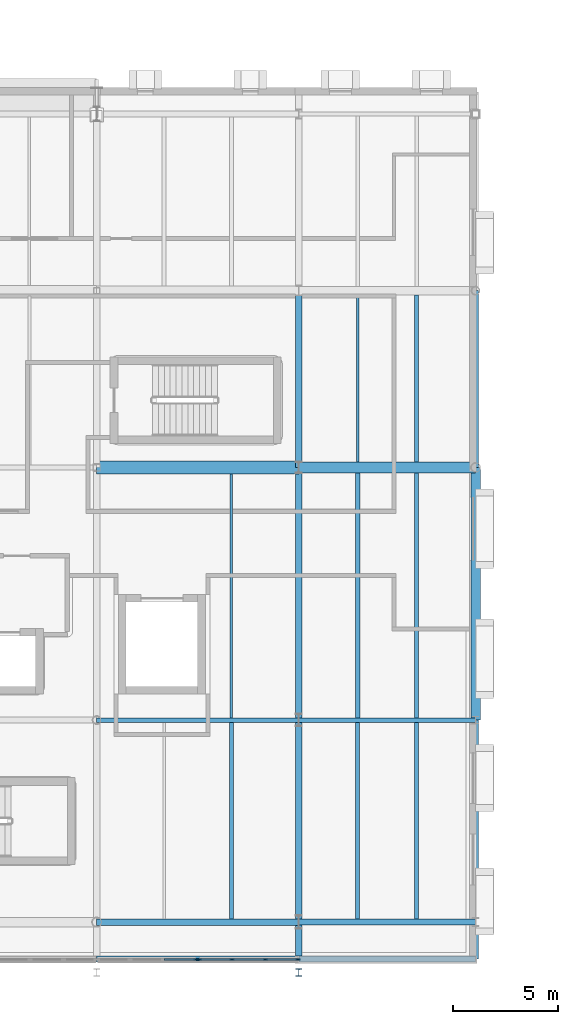
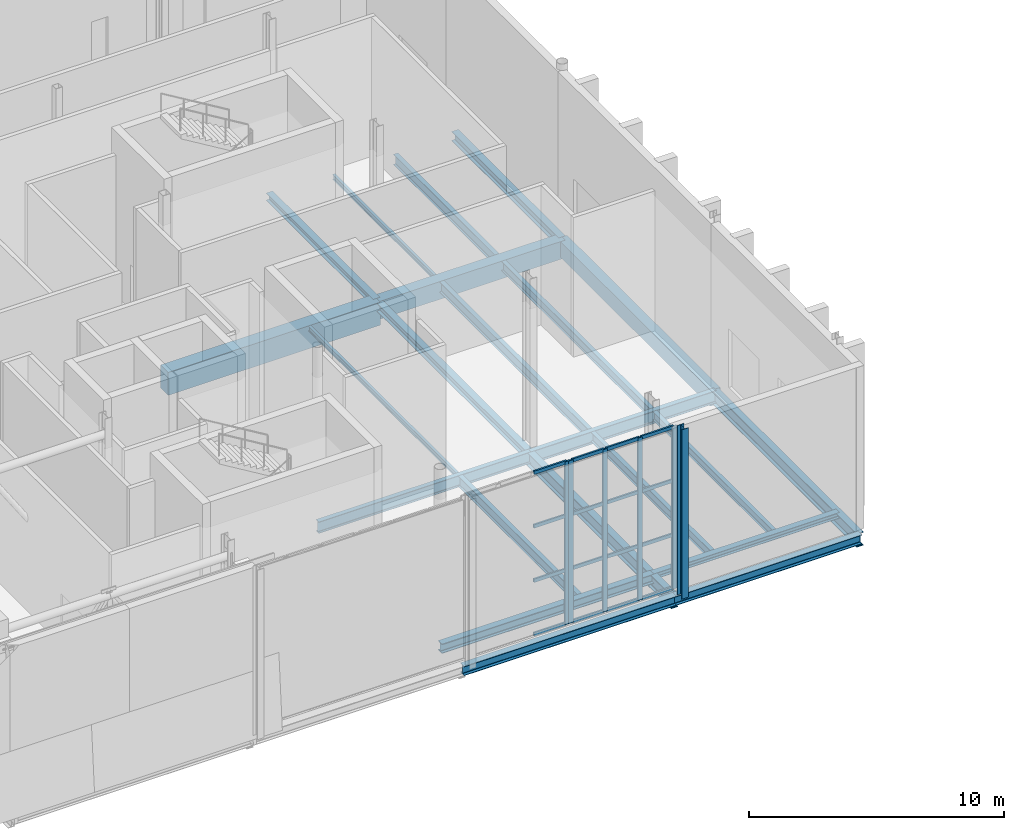
# One storey, part 21 of 79: 22 beams, 22 members, 2 elements without a shape of their own.
"""IFC4 building model written with IfcOpenShell, lengths in metres."""

from ifc_helpers import new_model, si_unit, direction, frame, origin, origin_2d, place, context, subcontext, project, spatial, rectangle, i_section, extrude, material, layer, layer_set, material_profile, profile_set, type_object, element, aggregate, save


model = new_model("IFC4")

# Units and contexts
model_context = context("Model", 3, precision=1e-05, world=origin(), true_north=direction((0.0, 1.0)))
body_context = subcontext(model_context, "Body", "Model", "MODEL_VIEW")
ifc_project = project(units=[si_unit("LENGTHUNIT", "METRE"), si_unit("AREAUNIT", "SQUARE_METRE"), si_unit("VOLUMEUNIT", "CUBIC_METRE"), si_unit("PLANEANGLEUNIT", "RADIAN"), si_unit("MASSUNIT", "GRAM", prefix="KILO")], contexts=[model_context])

# Site, building, storey
site_placement = place(None, origin())
site = spatial("IfcSite", under=ifc_project, at=site_placement, CompositionType="ELEMENT")
building_placement = place(site_placement, origin())
building = spatial("IfcBuilding", under=site, at=building_placement, Name="Zereglee Splitstone Museum", CompositionType="ELEMENT")
storey_placement = place(building_placement, frame((0.0, 0.0, 9.0)))
storey = spatial("IfcBuildingStorey", under=building, at=storey_placement, Name="L02", CompositionType="ELEMENT", Elevation=9.0)

# Beams
ifc_material_1 = material(Name="Concrete C40/50", Category="concrete")
ifc_material_profile_1 = material_profile(ifc_material_1, rectangle(XDim=0.5, YDim=0.85009765625, at=origin_2d()), Name="RC 500x850")
ifc_profile_set_1 = profile_set([ifc_material_profile_1], Name="Concrete C40/50")
beam_type_1 = type_object("IfcBeamType", Name="BG-02", PredefinedType="BEAM", material=ifc_profile_set_1)
beam_1_placement = place(storey_placement, frame((39.60009765625, 21.60009765625, -0.7451171875), z_axis=(1.0, 0.0, 0.0), x_axis=(0.0, 1.0, 0.0)))
element("IfcBeam", 1, at=beam_1_placement, inside=storey, type_object=beam_type_1, Name="Primary Girder L02 C (39.6-48.0)", PredefinedType="BEAM", context=body_context, shape_type="SweptSolid", body=[
    extrude(rectangle(XDim=0.5, YDim=0.85009765625, at=origin_2d()), origin(), (0.0, 0.0, 1.0), 8.39990234375),
])
ifc_material_profile_2 = material_profile(ifc_material_1, rectangle(XDim=0.60009765625, YDim=1.10009765625, at=origin_2d()), Name="RC 600x1100")
ifc_profile_set_2 = profile_set([ifc_material_profile_2], Name="Concrete C40/50")
beam_type_2 = type_object("IfcBeamType", Name="BG-01", PredefinedType="BEAM", material=ifc_profile_set_2)
beam_2_placement = place(storey_placement, frame((30.0, 21.60009765625, -0.8701171875), z_axis=(1.0, 0.0, 0.0), x_axis=(0.0, 1.0, 0.0)))
element("IfcBeam", 2, at=beam_2_placement, inside=storey, type_object=beam_type_2, Name="Primary Girder L02 C (30.0-39.6)", PredefinedType="BEAM", context=body_context, shape_type="SweptSolid", body=[
    extrude(rectangle(XDim=0.60009765625, YDim=1.10009765625, at=origin_2d()), origin(), (0.0, 0.0, 1.0), 9.60009765625),
])

# Curtain wall, member
ifc_material_2 = material(Name="Triple-glazed low-E argon glass and bronze-anodised aluminium", Category="aluminium")
ifc_layer_1 = layer(ifc_material_2, 0.219970703125)
ifc_layer_set_1 = layer_set([ifc_layer_1], Name="Triple-glazed low-E argon glass and bronze-anodised aluminium")
curtain_wall_type_1 = type_object("IfcCurtainWallType", Name="CW-0476-780", PredefinedType="USERDEFINED", material=ifc_layer_set_1)
curtain_wall_1_placement = place(storey_placement, origin())
curtain_wall_1 = element("IfcCurtainWall", 3, at=curtain_wall_1_placement, inside=storey, type_object=curtain_wall_type_1, Name="Glazed Curtain Wall CW-0476-780 (L02)", ObjectType="GLAZED CURTAIN WALL", PredefinedType="USERDEFINED")
ifc_material_3 = material(Name="Thermally broken bronze-anodised aluminium", Category="aluminium")
ifc_material_profile_3 = material_profile(ifc_material_3, rectangle(XDim=0.074951171875, YDim=0.219970703125, at=origin_2d()), Name="CW MULL 75x220")
ifc_profile_set_3 = profile_set([ifc_material_profile_3], Name="Thermally broken bronze-anodised aluminium")
member_type_1 = type_object("IfcMemberType", Name="CWM-02", PredefinedType="MULLION", material=ifc_profile_set_3)
member_1_placement = place(storey_placement, frame((34.722412109375, -1.780029296875, 0.0), z_axis=(0.0, 0.0, 1.0), x_axis=(0.0, 1.0, 0.0)))
member_1 = element("IfcMember", 4, at=member_1_placement, type_object=member_type_1, Name="CW-0476-780 mullion 4", PredefinedType="MULLION", context=body_context, shape_type="SweptSolid", body=[
    extrude(rectangle(XDim=0.074951171875, YDim=0.219970703125, at=origin_2d()), origin(), (0.0, 0.0, 1.0), 7.800048828125),
])

# Curtain wall, members
ifc_layer_2 = layer(ifc_material_2, 0.219970703125)
ifc_layer_set_2 = layer_set([ifc_layer_2], Name="Triple-glazed low-E argon glass and bronze-anodised aluminium")
curtain_wall_type_2 = type_object("IfcCurtainWallType", Name="CW-0476-778", PredefinedType="USERDEFINED", material=ifc_layer_set_2)
curtain_wall_2_placement = place(storey_placement, origin())
curtain_wall_2 = element("IfcCurtainWall", 5, at=curtain_wall_2_placement, inside=storey, type_object=curtain_wall_type_2, Name="Glazed Curtain Wall CW-0476-778 (L02)", ObjectType="GLAZED CURTAIN WALL", PredefinedType="USERDEFINED")
member_2_placement = place(storey_placement, frame((34.87744140625, -1.780029296875, 0.0), z_axis=(0.0, 0.0, 1.0), x_axis=(0.0, 1.0, 0.0)))
member_2 = element("IfcMember", 6, at=member_2_placement, type_object=member_type_1, Name="CW-0476-778 mullion 1", PredefinedType="MULLION", context=body_context, shape_type="SweptSolid", body=[
    extrude(rectangle(XDim=0.074951171875, YDim=0.219970703125, at=origin_2d()), origin(), (0.0, 0.0, 1.0), 7.780029296875),
])
member_3_placement = place(storey_placement, frame((36.4267578125, -1.780029296875, 0.0), z_axis=(0.0, 0.0, 1.0), x_axis=(0.0, 1.0, 0.0)))
member_3 = element("IfcMember", 7, at=member_3_placement, type_object=member_type_1, Name="CW-0476-778 mullion 2", PredefinedType="MULLION", context=body_context, shape_type="SweptSolid", body=[
    extrude(rectangle(XDim=0.074951171875, YDim=0.219970703125, at=origin_2d()), origin(), (0.0, 0.0, 1.0), 7.780029296875),
])
member_4_placement = place(storey_placement, frame((38.013427734375, -1.780029296875, 0.0), z_axis=(0.0, 0.0, 1.0), x_axis=(0.0, 1.0, 0.0)))
member_4 = element("IfcMember", 8, at=member_4_placement, type_object=member_type_1, Name="CW-0476-778 mullion 3", PredefinedType="MULLION", context=body_context, shape_type="SweptSolid", body=[
    extrude(rectangle(XDim=0.074951171875, YDim=0.219970703125, at=origin_2d()), origin(), (0.0, 0.0, 1.0), 7.780029296875),
])
member_5_placement = place(storey_placement, frame((39.5625, -1.780029296875, 0.0), z_axis=(0.0, 0.0, 1.0), x_axis=(0.0, 1.0, 0.0)))
member_5 = element("IfcMember", 9, at=member_5_placement, type_object=member_type_1, Name="CW-0476-778 mullion 4", PredefinedType="MULLION", context=body_context, shape_type="SweptSolid", body=[
    extrude(rectangle(XDim=0.074951171875, YDim=0.219970703125, at=origin_2d()), origin(), (0.0, 0.0, 1.0), 7.780029296875),
])

# Member
ifc_material_profile_4 = material_profile(ifc_material_3, rectangle(XDim=0.074951171875, YDim=0.1650390625, at=origin_2d()), Name="CW TRAN 75x165")
ifc_profile_set_4 = profile_set([ifc_material_profile_4], Name="Thermally broken bronze-anodised aluminium")
member_type_2 = type_object("IfcMemberType", Name="CWT-02", PredefinedType="USERDEFINED", material=ifc_profile_set_4)
member_6_placement = place(storey_placement, frame((33.2109375, -1.780029296875, 0.03759765625), z_axis=(1.0, 0.0, 0.0), x_axis=(0.0, 1.0, 0.0)))
member_6 = element("IfcMember", 10, at=member_6_placement, type_object=member_type_2, Name="CW-0476-780 transom 3.1", ObjectType="TRANSOM", PredefinedType="USERDEFINED", context=body_context, shape_type="SweptSolid", body=[
    extrude(rectangle(XDim=0.074951171875, YDim=0.1650390625, at=origin_2d()), origin(), (0.0, 0.0, 1.0), 1.47412109375),
])

member_7_placement = place(storey_placement, frame((33.2109375, -1.780029296875, 2.60009765625), z_axis=(1.0, 0.0, 0.0), x_axis=(0.0, 1.0, 0.0)))
member_7 = element("IfcMember", 11, at=member_7_placement, type_object=member_type_2, Name="CW-0476-780 transom 3.2", ObjectType="TRANSOM", PredefinedType="USERDEFINED", context=body_context, shape_type="SweptSolid", body=[
    extrude(rectangle(XDim=0.074951171875, YDim=0.1650390625, at=origin_2d()), origin(), (0.0, 0.0, 1.0), 1.47412109375),
])

member_8_placement = place(storey_placement, frame((33.2109375, -1.780029296875, 5.199951171875), z_axis=(1.0, 0.0, 0.0), x_axis=(0.0, 1.0, 0.0)))
member_8 = element("IfcMember", 12, at=member_8_placement, type_object=member_type_2, Name="CW-0476-780 transom 3.3", ObjectType="TRANSOM", PredefinedType="USERDEFINED", context=body_context, shape_type="SweptSolid", body=[
    extrude(rectangle(XDim=0.074951171875, YDim=0.1650390625, at=origin_2d()), origin(), (0.0, 0.0, 1.0), 1.47412109375),
])

member_9_placement = place(storey_placement, frame((33.2109375, -1.780029296875, 7.762451171875), z_axis=(1.0, 0.0, 0.0), x_axis=(0.0, 1.0, 0.0)))
member_9 = element("IfcMember", 13, at=member_9_placement, type_object=member_type_2, Name="CW-0476-780 transom 3.4", ObjectType="TRANSOM", PredefinedType="USERDEFINED", context=body_context, shape_type="SweptSolid", body=[
    extrude(rectangle(XDim=0.074951171875, YDim=0.1650390625, at=origin_2d()), origin(), (0.0, 0.0, 1.0), 1.47412109375),
])

aggregate(curtain_wall_1, [member_1, member_6, member_7, member_8, member_9])

member_10_placement = place(storey_placement, frame((34.9150390625, -1.780029296875, 0.03759765625), z_axis=(1.0, 0.0, 0.0), x_axis=(0.0, 1.0, 0.0)))
member_10 = element("IfcMember", 14, at=member_10_placement, type_object=member_type_2, Name="CW-0476-778 transom 1.1", ObjectType="TRANSOM", PredefinedType="USERDEFINED", context=body_context, shape_type="SweptSolid", body=[
    extrude(rectangle(XDim=0.074951171875, YDim=0.1650390625, at=origin_2d()), origin(), (0.0, 0.0, 1.0), 1.47412109375),
])

member_11_placement = place(storey_placement, frame((34.9150390625, -1.780029296875, 2.59326171875), z_axis=(1.0, 0.0, 0.0), x_axis=(0.0, 1.0, 0.0)))
member_11 = element("IfcMember", 15, at=member_11_placement, type_object=member_type_2, Name="CW-0476-778 transom 1.2", ObjectType="TRANSOM", PredefinedType="USERDEFINED", context=body_context, shape_type="SweptSolid", body=[
    extrude(rectangle(XDim=0.074951171875, YDim=0.1650390625, at=origin_2d()), origin(), (0.0, 0.0, 1.0), 1.47412109375),
])

member_12_placement = place(storey_placement, frame((34.9150390625, -1.780029296875, 5.186767578125), z_axis=(1.0, 0.0, 0.0), x_axis=(0.0, 1.0, 0.0)))
member_12 = element("IfcMember", 16, at=member_12_placement, type_object=member_type_2, Name="CW-0476-778 transom 1.3", ObjectType="TRANSOM", PredefinedType="USERDEFINED", context=body_context, shape_type="SweptSolid", body=[
    extrude(rectangle(XDim=0.074951171875, YDim=0.1650390625, at=origin_2d()), origin(), (0.0, 0.0, 1.0), 1.47412109375),
])

member_13_placement = place(storey_placement, frame((34.9150390625, -1.780029296875, 7.742431640625), z_axis=(1.0, 0.0, 0.0), x_axis=(0.0, 1.0, 0.0)))
member_13 = element("IfcMember", 17, at=member_13_placement, type_object=member_type_2, Name="CW-0476-778 transom 1.4", ObjectType="TRANSOM", PredefinedType="USERDEFINED", context=body_context, shape_type="SweptSolid", body=[
    extrude(rectangle(XDim=0.074951171875, YDim=0.1650390625, at=origin_2d()), origin(), (0.0, 0.0, 1.0), 1.47412109375),
])

member_14_placement = place(storey_placement, frame((36.464111328125, -1.780029296875, 0.03759765625), z_axis=(1.0, 0.0, 0.0), x_axis=(0.0, 1.0, 0.0)))
member_14 = element("IfcMember", 18, at=member_14_placement, type_object=member_type_2, Name="CW-0476-778 transom 2.1", ObjectType="TRANSOM", PredefinedType="USERDEFINED", context=body_context, shape_type="SweptSolid", body=[
    extrude(rectangle(XDim=0.074951171875, YDim=0.1650390625, at=origin_2d()), origin(), (0.0, 0.0, 1.0), 1.51171875),
])

member_15_placement = place(storey_placement, frame((36.464111328125, -1.780029296875, 2.59326171875), z_axis=(1.0, 0.0, 0.0), x_axis=(0.0, 1.0, 0.0)))
member_15 = element("IfcMember", 19, at=member_15_placement, type_object=member_type_2, Name="CW-0476-778 transom 2.2", ObjectType="TRANSOM", PredefinedType="USERDEFINED", context=body_context, shape_type="SweptSolid", body=[
    extrude(rectangle(XDim=0.074951171875, YDim=0.1650390625, at=origin_2d()), origin(), (0.0, 0.0, 1.0), 1.51171875),
])

member_16_placement = place(storey_placement, frame((36.464111328125, -1.780029296875, 5.186767578125), z_axis=(1.0, 0.0, 0.0), x_axis=(0.0, 1.0, 0.0)))
member_16 = element("IfcMember", 20, at=member_16_placement, type_object=member_type_2, Name="CW-0476-778 transom 2.3", ObjectType="TRANSOM", PredefinedType="USERDEFINED", context=body_context, shape_type="SweptSolid", body=[
    extrude(rectangle(XDim=0.074951171875, YDim=0.1650390625, at=origin_2d()), origin(), (0.0, 0.0, 1.0), 1.51171875),
])

member_17_placement = place(storey_placement, frame((36.464111328125, -1.780029296875, 7.742431640625), z_axis=(1.0, 0.0, 0.0), x_axis=(0.0, 1.0, 0.0)))
member_17 = element("IfcMember", 21, at=member_17_placement, type_object=member_type_2, Name="CW-0476-778 transom 2.4", ObjectType="TRANSOM", PredefinedType="USERDEFINED", context=body_context, shape_type="SweptSolid", body=[
    extrude(rectangle(XDim=0.074951171875, YDim=0.1650390625, at=origin_2d()), origin(), (0.0, 0.0, 1.0), 1.51171875),
])

member_18_placement = place(storey_placement, frame((38.05078125, -1.780029296875, 0.03759765625), z_axis=(1.0, 0.0, 0.0), x_axis=(0.0, 1.0, 0.0)))
member_18 = element("IfcMember", 22, at=member_18_placement, type_object=member_type_2, Name="CW-0476-778 transom 3.1", ObjectType="TRANSOM", PredefinedType="USERDEFINED", context=body_context, shape_type="SweptSolid", body=[
    extrude(rectangle(XDim=0.074951171875, YDim=0.1650390625, at=origin_2d()), origin(), (0.0, 0.0, 1.0), 1.47412109375),
])

member_19_placement = place(storey_placement, frame((38.05078125, -1.780029296875, 2.59326171875), z_axis=(1.0, 0.0, 0.0), x_axis=(0.0, 1.0, 0.0)))
member_19 = element("IfcMember", 23, at=member_19_placement, type_object=member_type_2, Name="CW-0476-778 transom 3.2", ObjectType="TRANSOM", PredefinedType="USERDEFINED", context=body_context, shape_type="SweptSolid", body=[
    extrude(rectangle(XDim=0.074951171875, YDim=0.1650390625, at=origin_2d()), origin(), (0.0, 0.0, 1.0), 1.47412109375),
])

member_20_placement = place(storey_placement, frame((38.05078125, -1.780029296875, 5.186767578125), z_axis=(1.0, 0.0, 0.0), x_axis=(0.0, 1.0, 0.0)))
member_20 = element("IfcMember", 24, at=member_20_placement, type_object=member_type_2, Name="CW-0476-778 transom 3.3", ObjectType="TRANSOM", PredefinedType="USERDEFINED", context=body_context, shape_type="SweptSolid", body=[
    extrude(rectangle(XDim=0.074951171875, YDim=0.1650390625, at=origin_2d()), origin(), (0.0, 0.0, 1.0), 1.47412109375),
])

member_21_placement = place(storey_placement, frame((38.05078125, -1.780029296875, 7.742431640625), z_axis=(1.0, 0.0, 0.0), x_axis=(0.0, 1.0, 0.0)))
member_21 = element("IfcMember", 25, at=member_21_placement, type_object=member_type_2, Name="CW-0476-778 transom 3.4", ObjectType="TRANSOM", PredefinedType="USERDEFINED", context=body_context, shape_type="SweptSolid", body=[
    extrude(rectangle(XDim=0.074951171875, YDim=0.1650390625, at=origin_2d()), origin(), (0.0, 0.0, 1.0), 1.47412109375),
])

aggregate(curtain_wall_2, [member_2, member_3, member_4, member_5, member_10, member_11, member_12, member_13, member_14, member_15, member_16, member_17, member_18, member_19, member_20, member_21])

ifc_material_4 = material(Name="Steel S355J2", Category="steel")
ifc_material_profile_5 = material_profile(ifc_material_4, i_section(OverallWidth=0.300048828125, OverallDepth=0.360107421875, WebThickness=0.012451171875, FlangeThickness=0.0224609375, FilletRadius=0.027099609375, at=origin_2d()), Name="HE 360 B")
ifc_profile_set_5 = profile_set([ifc_material_profile_5], Name="Steel S355J2")
member_type_3 = type_object("IfcMemberType", Name="TC-06", PredefinedType="CHORD", material=ifc_profile_set_5)
member_22_placement = place(storey_placement, frame((39.60009765625, -2.39990234375, 0.0), z_axis=(0.0, 0.0, 1.0), x_axis=(1.0, 0.0, 0.0)))
element("IfcMember", 26, at=member_22_placement, inside=storey, type_object=member_type_3, Name="Mughal Guldasta Hovering Portal Pier G04 L02", PredefinedType="CHORD", context=body_context, shape_type="SweptSolid", body=[
    extrude(i_section(OverallWidth=0.300048828125, OverallDepth=0.360107421875, WebThickness=0.012451171875, FlangeThickness=0.0224609375, FilletRadius=0.027099609375, at=origin_2d()), origin(), (0.0, 0.0, 1.0), 8.10009765625),
])

# Beams
ifc_material_profile_6 = material_profile(ifc_material_4, i_section(OverallWidth=0.300048828125, OverallDepth=0.360107421875, WebThickness=0.012451171875, FlangeThickness=0.0224609375, FilletRadius=0.027099609375, at=origin_2d()), Name="HE 360 B")
ifc_profile_set_6 = profile_set([ifc_material_profile_6], Name="Steel S355J2")
beam_type_3 = type_object("IfcBeamType", Name="BG-14", PredefinedType="BEAM", material=ifc_profile_set_6)
beam_3_placement = place(storey_placement, frame((39.60009765625, 21.60009765625, -0.5), z_axis=(0.0, 1.0, 0.0), x_axis=(-1.0, 0.0, 0.0)))
element("IfcBeam", 27, at=beam_3_placement, inside=storey, type_object=beam_type_3, Name="Primary Girder L02 6 (21.6-30.0)", PredefinedType="BEAM", context=body_context, shape_type="SweptSolid", body=[
    extrude(i_section(OverallWidth=0.300048828125, OverallDepth=0.360107421875, WebThickness=0.012451171875, FlangeThickness=0.0224609375, FilletRadius=0.027099609375, at=origin_2d()), origin(), (0.0, 0.0, 1.0), 8.39990234375),
])
ifc_material_profile_7 = material_profile(ifc_material_4, i_section(OverallWidth=0.300048828125, OverallDepth=0.39990234375, WebThickness=0.013427734375, FlangeThickness=0.02392578125, FilletRadius=0.027099609375, at=origin_2d()), Name="HE 400 B")
ifc_profile_set_7 = profile_set([ifc_material_profile_7], Name="Steel S355J2")
beam_type_4 = type_object("IfcBeamType", Name="BG-13", PredefinedType="BEAM", material=ifc_profile_set_7)
beam_4_placement = place(storey_placement, frame((39.60009765625, 9.60009765625, -0.52001953125), z_axis=(0.0, 1.0, 0.0), x_axis=(-1.0, 0.0, 0.0)))
element("IfcBeam", 28, at=beam_4_placement, inside=storey, type_object=beam_type_4, Name="Primary Girder L02 6 (9.6-21.6)", PredefinedType="BEAM", context=body_context, shape_type="SweptSolid", body=[
    extrude(i_section(OverallWidth=0.300048828125, OverallDepth=0.39990234375, WebThickness=0.013427734375, FlangeThickness=0.02392578125, FilletRadius=0.027099609375, at=origin_2d()), origin(), (0.0, 0.0, 1.0), 12.0),
])
ifc_material_profile_8 = material_profile(ifc_material_4, i_section(OverallWidth=0.300048828125, OverallDepth=0.64990234375, WebThickness=0.01611328125, FlangeThickness=0.031005859375, FilletRadius=0.027099609375, at=origin_2d()), Name="HE 650 B")
ifc_profile_set_8 = profile_set([ifc_material_profile_8], Name="Steel S355J2")
beam_type_5 = type_object("IfcBeamType", Name="BG-09", PredefinedType="BEAM", material=ifc_profile_set_8)
for number, where, z_axis, x_axis, name in (
    (29, (39.60009765625, -1.75, -0.64501953125), (0.0, 1.0, 0.0), (-1.0, 0.0, 0.0), "Primary Girder L02 6 (-1.8-9.6)"),
    (30, (48.0, -1.75, -0.64501953125), (0.0, 1.0, 0.0), (-1.0, 0.0, 0.0), "Primary Girder L02 7 (-1.8-9.6)"),
):
    element("IfcBeam", number, at=place(storey_placement, frame(where, z_axis=z_axis, x_axis=x_axis)), inside=storey, type_object=beam_type_5, Name=name, PredefinedType="BEAM", context=body_context, shape_type="SweptSolid", body=[
        extrude(i_section(OverallWidth=0.300048828125, OverallDepth=0.64990234375, WebThickness=0.01611328125, FlangeThickness=0.031005859375, FilletRadius=0.027099609375, at=origin_2d()), origin(), (0.0, 0.0, 1.0), 11.35009765625),
    ])
ifc_material_profile_9 = material_profile(ifc_material_4, i_section(OverallWidth=0.2099609375, OverallDepth=0.550048828125, WebThickness=0.010986328125, FlangeThickness=0.01708984375, FilletRadius=0.02392578125, at=origin_2d()), Name="IPE 550")
ifc_profile_set_9 = profile_set([ifc_material_profile_9], Name="Steel S355J2")
beam_type_6 = type_object("IfcBeamType", Name="BG-16", PredefinedType="BEAM", material=ifc_profile_set_9)
beam_5_placement = place(storey_placement, frame((30.0, 9.60009765625, -0.594970703125), z_axis=(1.0, 0.0, 0.0), x_axis=(0.0, 1.0, 0.0)))
element("IfcBeam", 31, at=beam_5_placement, inside=storey, type_object=beam_type_6, Name="Primary Girder L02 B (30.0-39.6)", PredefinedType="BEAM", context=body_context, shape_type="SweptSolid", body=[
    extrude(i_section(OverallWidth=0.2099609375, OverallDepth=0.550048828125, WebThickness=0.010986328125, FlangeThickness=0.01708984375, FilletRadius=0.02392578125, at=origin_2d()), origin(), (0.0, 0.0, 1.0), 9.60009765625),
])
ifc_material_profile_10 = material_profile(ifc_material_4, i_section(OverallWidth=0.219970703125, OverallDepth=0.60009765625, WebThickness=0.011962890625, FlangeThickness=0.01904296875, FilletRadius=0.02392578125, at=origin_2d()), Name="IPE 600")
ifc_profile_set_10 = profile_set([ifc_material_profile_10], Name="Steel S355J2")
beam_type_7 = type_object("IfcBeamType", Name="BG-15", PredefinedType="BEAM", material=ifc_profile_set_10)
beam_6_placement = place(storey_placement, frame((39.60009765625, 9.60009765625, -0.6201171875), z_axis=(1.0, 0.0, 0.0), x_axis=(0.0, 1.0, 0.0)))
element("IfcBeam", 32, at=beam_6_placement, inside=storey, type_object=beam_type_7, Name="Primary Girder L02 B (39.6-48.0)", PredefinedType="BEAM", context=body_context, shape_type="SweptSolid", body=[
    extrude(i_section(OverallWidth=0.219970703125, OverallDepth=0.60009765625, WebThickness=0.011962890625, FlangeThickness=0.01904296875, FilletRadius=0.02392578125, at=origin_2d()), origin(), (0.0, 0.0, 1.0), 8.39990234375),
])
ifc_material_profile_11 = material_profile(ifc_material_4, i_section(OverallWidth=0.1201171875, OverallDepth=0.239990234375, WebThickness=0.006103515625, FlangeThickness=0.009765625, FilletRadius=0.014892578125, at=origin_2d()), Name="IPE 240")
ifc_profile_set_11 = profile_set([ifc_material_profile_11], Name="Steel S355J2")
beam_type_8 = type_object("IfcBeamType", Name="BJ-07", PredefinedType="JOIST", material=ifc_profile_set_11)
beam_7_placement = place(storey_placement, frame((36.39990234375, 9.705078125, -0.43994140625), z_axis=(0.0, 1.0, 0.0), x_axis=(-1.0, 0.0, 0.0)))
element("IfcBeam", 33, at=beam_7_placement, inside=storey, type_object=beam_type_8, Name="Secondary Floor Joist L02-1049", PredefinedType="JOIST", context=body_context, shape_type="SweptSolid", body=[
    extrude(i_section(OverallWidth=0.1201171875, OverallDepth=0.239990234375, WebThickness=0.006103515625, FlangeThickness=0.009765625, FilletRadius=0.014892578125, at=origin_2d()), origin(), (0.0, 0.0, 1.0), 11.594970703125),
])
beam_8_placement = place(storey_placement, frame((42.39990234375, 21.85009765625, -0.43994140625), z_axis=(0.0, 1.0, 0.0), x_axis=(-1.0, 0.0, 0.0)))
element("IfcBeam", 34, at=beam_8_placement, inside=storey, type_object=beam_type_8, Name="Secondary Floor Joist L02-1077", PredefinedType="JOIST", context=body_context, shape_type="SweptSolid", body=[
    extrude(i_section(OverallWidth=0.1201171875, OverallDepth=0.239990234375, WebThickness=0.006103515625, FlangeThickness=0.009765625, FilletRadius=0.014892578125, at=origin_2d()), origin(), (0.0, 0.0, 1.0), 7.949951171875),
])
ifc_material_profile_12 = material_profile(ifc_material_4, i_section(OverallWidth=0.179931640625, OverallDepth=0.39990234375, WebThickness=0.008544921875, FlangeThickness=0.013427734375, FilletRadius=0.02099609375, at=origin_2d()), Name="IPE 400")
ifc_profile_set_12 = profile_set([ifc_material_profile_12], Name="Steel S355J2")
beam_type_9 = type_object("IfcBeamType", Name="BJ-03", PredefinedType="JOIST", material=ifc_profile_set_12)
beam_9_placement = place(storey_placement, frame((45.199951171875, 0.139892578125, -0.52001953125), z_axis=(0.0, 1.0, 0.0), x_axis=(-1.0, 0.0, 0.0)))
element("IfcBeam", 35, at=beam_9_placement, inside=storey, type_object=beam_type_9, Name="Secondary Floor Joist L02-1038", PredefinedType="JOIST", context=body_context, shape_type="SweptSolid", body=[
    extrude(i_section(OverallWidth=0.179931640625, OverallDepth=0.39990234375, WebThickness=0.008544921875, FlangeThickness=0.013427734375, FilletRadius=0.02099609375, at=origin_2d()), origin(), (0.0, 0.0, 1.0), 9.35009765625),
])
ifc_material_profile_13 = material_profile(ifc_material_4, i_section(OverallWidth=0.18994140625, OverallDepth=0.449951171875, WebThickness=0.009521484375, FlangeThickness=0.0146484375, FilletRadius=0.02099609375, at=origin_2d()), Name="IPE 450")
ifc_profile_set_13 = profile_set([ifc_material_profile_13], Name="Steel S355J2")
beam_type_10 = type_object("IfcBeamType", Name="BJ-02", PredefinedType="JOIST", material=ifc_profile_set_13)
beam_10_placement = place(storey_placement, frame((42.39990234375, 0.139892578125, -0.544921875), z_axis=(0.0, 1.0, 0.0), x_axis=(-1.0, 0.0, 0.0)))
element("IfcBeam", 36, at=beam_10_placement, inside=storey, type_object=beam_type_10, Name="Secondary Floor Joist L02-1037", PredefinedType="JOIST", context=body_context, shape_type="SweptSolid", body=[
    extrude(i_section(OverallWidth=0.18994140625, OverallDepth=0.449951171875, WebThickness=0.009521484375, FlangeThickness=0.0146484375, FilletRadius=0.02099609375, at=origin_2d()), origin(), (0.0, 0.0, 1.0), 9.35009765625),
])
beam_11_placement = place(storey_placement, frame((45.199951171875, 9.7099609375, -0.544921875), z_axis=(0.0, 1.0, 0.0), x_axis=(-1.0, 0.0, 0.0)))
element("IfcBeam", 37, at=beam_11_placement, inside=storey, type_object=beam_type_10, Name="Secondary Floor Joist L02-1051", PredefinedType="JOIST", context=body_context, shape_type="SweptSolid", body=[
    extrude(i_section(OverallWidth=0.18994140625, OverallDepth=0.449951171875, WebThickness=0.009521484375, FlangeThickness=0.0146484375, FilletRadius=0.02099609375, at=origin_2d()), origin(), (0.0, 0.0, 1.0), 11.64013671875),
])
ifc_material_profile_14 = material_profile(ifc_material_4, i_section(OverallWidth=0.199951171875, OverallDepth=0.5, WebThickness=0.01025390625, FlangeThickness=0.01611328125, FilletRadius=0.02099609375, at=origin_2d()), Name="IPE 500")
ifc_profile_set_14 = profile_set([ifc_material_profile_14], Name="Steel S355J2")
beam_type_11 = type_object("IfcBeamType", Name="BJ-01", PredefinedType="JOIST", material=ifc_profile_set_14)
beam_12_placement = place(storey_placement, frame((36.39990234375, 0.14990234375, -0.570068359375), z_axis=(0.0, 1.0, 0.0), x_axis=(-1.0, 0.0, 0.0)))
element("IfcBeam", 38, at=beam_12_placement, inside=storey, type_object=beam_type_11, Name="Secondary Floor Joist L02-1036", PredefinedType="JOIST", context=body_context, shape_type="SweptSolid", body=[
    extrude(i_section(OverallWidth=0.199951171875, OverallDepth=0.5, WebThickness=0.01025390625, FlangeThickness=0.01611328125, FilletRadius=0.02099609375, at=origin_2d()), origin(), (0.0, 0.0, 1.0), 9.34521484375),
])
beam_13_placement = place(storey_placement, frame((42.39990234375, 9.7099609375, -0.570068359375), z_axis=(0.0, 1.0, 0.0), x_axis=(-1.0, 0.0, 0.0)))
element("IfcBeam", 39, at=beam_13_placement, inside=storey, type_object=beam_type_11, Name="Secondary Floor Joist L02-1050", PredefinedType="JOIST", context=body_context, shape_type="SweptSolid", body=[
    extrude(i_section(OverallWidth=0.199951171875, OverallDepth=0.5, WebThickness=0.01025390625, FlangeThickness=0.01611328125, FilletRadius=0.02099609375, at=origin_2d()), origin(), (0.0, 0.0, 1.0), 11.64013671875),
])
beam_14_placement = place(storey_placement, frame((45.199951171875, 21.85009765625, -0.570068359375), z_axis=(0.0, 1.0, 0.0), x_axis=(-1.0, 0.0, 0.0)))
element("IfcBeam", 40, at=beam_14_placement, inside=storey, type_object=beam_type_11, Name="Secondary Floor Joist L02-1078", PredefinedType="JOIST", context=body_context, shape_type="SweptSolid", body=[
    extrude(i_section(OverallWidth=0.199951171875, OverallDepth=0.5, WebThickness=0.01025390625, FlangeThickness=0.01611328125, FilletRadius=0.02099609375, at=origin_2d()), origin(), (0.0, 0.0, 1.0), 7.949951171875),
])
ifc_material_profile_15 = material_profile(ifc_material_4, i_section(OverallWidth=0.280029296875, OverallDepth=0.280029296875, WebThickness=0.010498046875, FlangeThickness=0.01806640625, FilletRadius=0.02392578125, at=origin_2d()), Name="HE 280 B")
ifc_profile_set_15 = profile_set([ifc_material_profile_15], Name="Steel S355J2")
beam_type_12 = type_object("IfcBeamType", Name="SP-03", PredefinedType="SPANDREL", material=ifc_profile_set_15)
beam_15_placement = place(storey_placement, frame((39.60009765625, 0.0, -0.4599609375), z_axis=(1.0, 0.0, 0.0), x_axis=(0.0, 1.0, 0.0)))
element("IfcBeam", 41, at=beam_15_placement, inside=storey, type_object=beam_type_12, Name="Primary Girder L02 A (39.6-48.0)", PredefinedType="SPANDREL", context=body_context, shape_type="SweptSolid", body=[
    extrude(i_section(OverallWidth=0.280029296875, OverallDepth=0.280029296875, WebThickness=0.010498046875, FlangeThickness=0.01806640625, FilletRadius=0.02392578125, at=origin_2d()), origin(), (0.0, 0.0, 1.0), 8.39990234375),
])
ifc_material_profile_16 = material_profile(ifc_material_4, i_section(OverallWidth=0.300048828125, OverallDepth=0.449951171875, WebThickness=0.013916015625, FlangeThickness=0.02587890625, FilletRadius=0.027099609375, at=origin_2d()), Name="HE 450 B")
ifc_profile_set_16 = profile_set([ifc_material_profile_16], Name="Steel S355J2")
beam_type_13 = type_object("IfcBeamType", Name="SP-02", PredefinedType="SPANDREL", material=ifc_profile_set_16)
beam_16_placement = place(storey_placement, frame((30.0, 0.0, -0.544921875), z_axis=(1.0, 0.0, 0.0), x_axis=(0.0, 1.0, 0.0)))
element("IfcBeam", 42, at=beam_16_placement, inside=storey, type_object=beam_type_13, Name="Primary Girder L02 A (30.0-39.6)", PredefinedType="SPANDREL", context=body_context, shape_type="SweptSolid", body=[
    extrude(i_section(OverallWidth=0.300048828125, OverallDepth=0.449951171875, WebThickness=0.013916015625, FlangeThickness=0.02587890625, FilletRadius=0.027099609375, at=origin_2d()), origin(), (0.0, 0.0, 1.0), 9.60009765625),
])
beam_17_placement = place(storey_placement, frame((48.0, 21.60009765625, -0.544921875), z_axis=(0.0, 1.0, 0.0), x_axis=(-1.0, 0.0, 0.0)))
element("IfcBeam", 43, at=beam_17_placement, inside=storey, type_object=beam_type_13, Name="Primary Girder L02 7 (21.6-30.0)", PredefinedType="SPANDREL", context=body_context, shape_type="SweptSolid", body=[
    extrude(i_section(OverallWidth=0.300048828125, OverallDepth=0.449951171875, WebThickness=0.013916015625, FlangeThickness=0.02587890625, FilletRadius=0.027099609375, at=origin_2d()), origin(), (0.0, 0.0, 1.0), 8.39990234375),
])
beam_18_placement = place(storey_placement, frame((30.0, -1.75, -0.544921875), z_axis=(1.0, 0.0, 0.0), x_axis=(0.0, 1.0, 0.0)))
element("IfcBeam", 44, at=beam_18_placement, inside=storey, type_object=beam_type_13, Name="Hovering Soffit Spandrel L02 (30.0-39.6)", PredefinedType="SPANDREL", context=body_context, shape_type="SweptSolid", body=[
    extrude(i_section(OverallWidth=0.300048828125, OverallDepth=0.449951171875, WebThickness=0.013916015625, FlangeThickness=0.02587890625, FilletRadius=0.027099609375, at=origin_2d()), origin(), (0.0, 0.0, 1.0), 9.60009765625),
])
beam_19_placement = place(storey_placement, frame((39.60009765625, -1.75, -0.544921875), z_axis=(1.0, 0.0, 0.0), x_axis=(0.0, 1.0, 0.0)))
element("IfcBeam", 45, at=beam_19_placement, inside=storey, type_object=beam_type_13, Name="Hovering Soffit Spandrel L02 (39.6-48.0)", PredefinedType="SPANDREL", context=body_context, shape_type="SweptSolid", body=[
    extrude(i_section(OverallWidth=0.300048828125, OverallDepth=0.449951171875, WebThickness=0.013916015625, FlangeThickness=0.02587890625, FilletRadius=0.027099609375, at=origin_2d()), origin(), (0.0, 0.0, 1.0), 8.39990234375),
])
ifc_material_profile_17 = material_profile(ifc_material_1, rectangle(XDim=0.449951171875, YDim=0.75, at=origin_2d()), Name="RC 450x750")
ifc_profile_set_17 = profile_set([ifc_material_profile_17], Name="Concrete C40/50")
beam_type_14 = type_object("IfcBeamType", Name="SP-01", PredefinedType="SPANDREL", material=ifc_profile_set_17)
beam_20_placement = place(storey_placement, frame((48.0, 9.60009765625, -0.695068359375), z_axis=(0.0, 1.0, 0.0), x_axis=(-1.0, 0.0, 0.0)))
element("IfcBeam", 46, at=beam_20_placement, inside=storey, type_object=beam_type_14, Name="Primary Girder L02 7 (9.6-21.6)", PredefinedType="SPANDREL", context=body_context, shape_type="SweptSolid", body=[
    extrude(rectangle(XDim=0.449951171875, YDim=0.75, at=origin_2d()), origin(), (0.0, 0.0, 1.0), 12.0),
])

save(model, "model.ifc")
